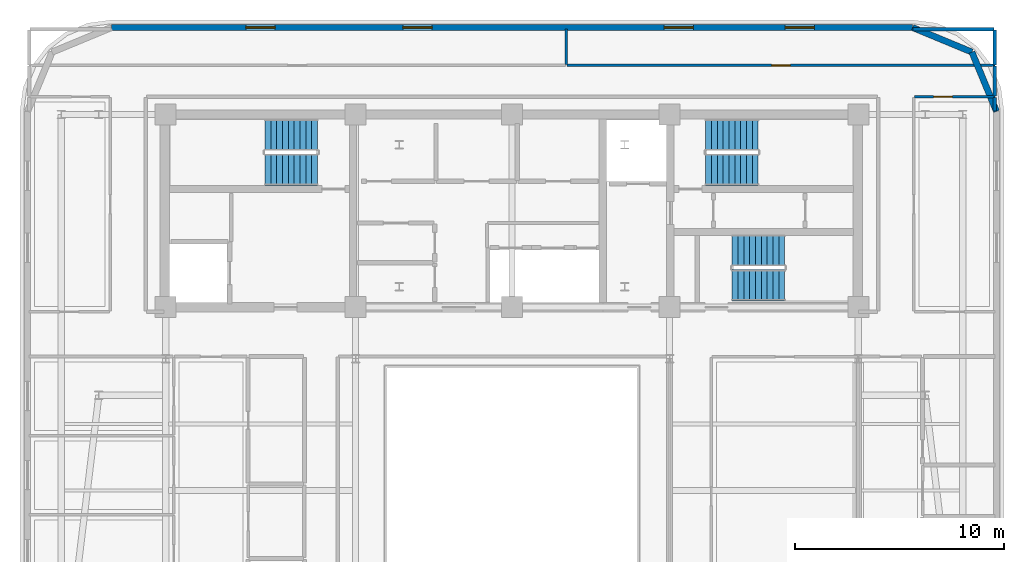
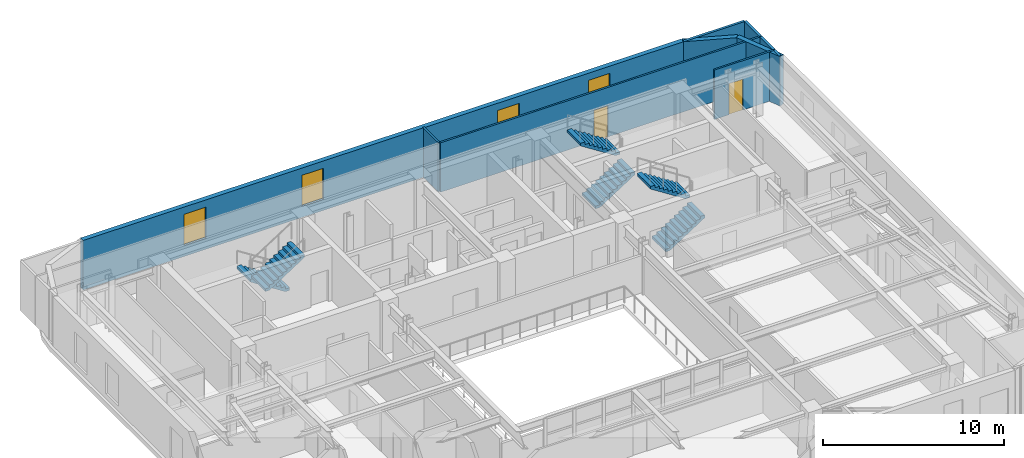
# One storey, part 10 of 14: 10 walls, 6 stair flights, 4 windows, 2 doors, 6 openings, 3 elements without a shape of their own.
"""IFC4 building model written with IfcOpenShell, lengths in metres."""

from ifc_helpers import new_model, si_unit, direction, frame, frame_2d, origin, place, context, subcontext, project, spatial, polyline, rectangle, outline, extrude, material, layer, layer_set, type_object, element, fill, aggregate, save


model = new_model("IFC4")

# Units and contexts
model_context = context("Model", 3, precision=1e-05, world=origin(), true_north=direction((0.0, 1.0)))
body_context = subcontext(model_context, "Body", "Model", "MODEL_VIEW")
ifc_project = project(units=[si_unit("LENGTHUNIT", "METRE"), si_unit("AREAUNIT", "SQUARE_METRE"), si_unit("VOLUMEUNIT", "CUBIC_METRE"), si_unit("PLANEANGLEUNIT", "RADIAN"), si_unit("MASSUNIT", "GRAM", prefix="KILO")], contexts=[model_context])

# Site, building, storey
site_placement = place(None, origin())
site = spatial("IfcSite", under=ifc_project, at=site_placement, CompositionType="ELEMENT")
building_placement = place(site_placement, origin())
building = spatial("IfcBuilding", under=site, at=building_placement, Name="Zarnavel Station Tower", CompositionType="ELEMENT")
storey_placement = place(building_placement, frame((0.0, 0.0, 211.199951171875)))
storey = spatial("IfcBuildingStorey", under=building, at=storey_placement, Name="L57", CompositionType="ELEMENT", Elevation=211.199951171875)

# Walls
ifc_material_1 = material(Name="Precast concrete C45/55 (Dark Basalt Finish)", Category="masonry")
ifc_layer_1 = layer(ifc_material_1, 0.300048828125)
ifc_layer_set_1 = layer_set([ifc_layer_1], Name="EW_BASALT_300")
wall_type_1 = type_object("IfcWallType", Name="EW_BASALT_300", PredefinedType="SOLIDWALL", material=ifc_layer_set_1)
for number, where, z_axis, x_axis, name in (
    (1, (50.842529296875, 40.04248046875, 0.0), (0.0, 0.0, 1.0), (0.382704529509, -0.923870793506, 0.0), "L57 Exterior Basalt Masonry Frame Wall 04"),
    (2, (48.0, 41.219970703125, 0.0), (0.0, 0.0, 1.0), (0.923870793506, -0.382704529509, 0.0), "L57 Exterior Basalt Masonry Frame Wall 05"),
):
    element("IfcWall", number, at=place(storey_placement, frame(where, z_axis=z_axis, x_axis=x_axis)), inside=storey, type_object=wall_type_1, Name=name, PredefinedType="SOLIDWALL", context=body_context, shape_type="SweptSolid", body=[
        extrude(rectangle(XDim=3.07666015625, YDim=0.300048828125, at=frame_2d((1.538330078125, 0.0))), origin(), (0.0, 0.0, 1.0), 3.340087890625),
    ])

# Wall, openings, windows
wall_1_placement = place(storey_placement, frame((9.60009765625, 41.219970703125, 0.0), z_axis=(0.0, 0.0, 1.0), x_axis=(1.0, 0.0, 0.0)))
wall_1 = element("IfcWall", 3, at=wall_1_placement, inside=storey, type_object=wall_type_1, Name="L57 Exterior Basalt Masonry Frame Wall 06", PredefinedType="SOLIDWALL", context=body_context, shape_type="SweptSolid", body=[
    extrude(rectangle(XDim=38.39990234375, YDim=0.300048828125, at=frame_2d((19.199951171875, 0.0))), origin(), (0.0, 0.0, 1.0), 3.340087890625),
])
opening_1_placement = place(wall_1_placement, frame((6.44677734375, 0.0, 0.75)))
opening_1 = element("IfcOpeningElement", 4, at=opening_1_placement, cuts=wall_1, Name="Opening WN04", PredefinedType="OPENING", context=body_context, shape_type="SweptSolid", body=[
    extrude(rectangle(XDim=1.39990234375, YDim=2.10009765625, at=frame_2d((0.699951171875, 1.050048828125))), frame((0.0, 0.159912109375, 0.0), z_axis=(0.0, -1.0, 0.0), x_axis=(1.0, 0.0, 0.0)), (0.0, 0.0, 1.0), 0.320068359375),
])
opening_2_placement = place(wall_1_placement, frame((13.973388671875, 0.0, 0.75)))
opening_2 = element("IfcOpeningElement", 5, at=opening_2_placement, cuts=wall_1, Name="Opening WN04", PredefinedType="OPENING", context=body_context, shape_type="SweptSolid", body=[
    extrude(rectangle(XDim=1.39990234375, YDim=2.10009765625, at=frame_2d((0.699951171875, 1.050048828125))), frame((0.0, 0.159912109375, 0.0), z_axis=(0.0, -1.0, 0.0), x_axis=(1.0, 0.0, 0.0)), (0.0, 0.0, 1.0), 0.320068359375),
])
opening_3_placement = place(wall_1_placement, frame((26.493408203125, 0.0, 0.75)))
opening_3 = element("IfcOpeningElement", 6, at=opening_3_placement, cuts=wall_1, Name="Opening WN04", PredefinedType="OPENING", context=body_context, shape_type="SweptSolid", body=[
    extrude(rectangle(XDim=1.39990234375, YDim=2.10009765625, at=frame_2d((0.699951171875, 1.050048828125))), frame((0.0, 0.159912109375, 0.0), z_axis=(0.0, -1.0, 0.0), x_axis=(1.0, 0.0, 0.0)), (0.0, 0.0, 1.0), 0.320068359375),
])
opening_4_placement = place(wall_1_placement, frame((32.28662109375, 0.0, 0.75)))
opening_4 = element("IfcOpeningElement", 7, at=opening_4_placement, cuts=wall_1, Name="Opening WN04", PredefinedType="OPENING", context=body_context, shape_type="SweptSolid", body=[
    extrude(rectangle(XDim=1.39990234375, YDim=2.10009765625, at=frame_2d((0.699951171875, 1.050048828125))), frame((0.0, 0.159912109375, 0.0), z_axis=(0.0, -1.0, 0.0), x_axis=(1.0, 0.0, 0.0)), (0.0, 0.0, 1.0), 0.320068359375),
])
ifc_material_2 = material(Name="Thermally Broken Black Aluminium and Low-E Dark Glass", Category="aluminium")
window_type = type_object("IfcWindowType", Name="WN_1400x2100", PartitioningType="DOUBLE_PANEL_VERTICAL", PredefinedType="WINDOW", material=ifc_material_2)
window_1_placement = place(opening_1_placement, origin())
window_1 = element("IfcWindow", 8, at=window_1_placement, inside=storey, type_object=window_type, Name="L57 Recessed Facade Window 01", OverallHeight=2.10009765625, OverallWidth=1.39990234375, PartitioningType="SINGLE_PANEL", PredefinedType="WINDOW", context=body_context, shape_type="SweptSolid", body=[
    extrude(rectangle(XDim=1.39990234375, YDim=2.10009765625, at=frame_2d((0.699951171875, 1.050048828125))), frame((0.0, 0.030029296875, 0.0), z_axis=(0.0, -1.0, 0.0), x_axis=(1.0, 0.0, 0.0)), (0.0, 0.0, 1.0), 0.06005859375),
])
fill(opening_1, window_1)
window_2_placement = place(opening_2_placement, origin())
window_2 = element("IfcWindow", 9, at=window_2_placement, inside=storey, type_object=window_type, Name="L57 Recessed Facade Window 02", OverallHeight=2.10009765625, OverallWidth=1.39990234375, PartitioningType="SINGLE_PANEL", PredefinedType="WINDOW", context=body_context, shape_type="SweptSolid", body=[
    extrude(rectangle(XDim=1.39990234375, YDim=2.10009765625, at=frame_2d((0.699951171875, 1.050048828125))), frame((0.0, 0.030029296875, 0.0), z_axis=(0.0, -1.0, 0.0), x_axis=(1.0, 0.0, 0.0)), (0.0, 0.0, 1.0), 0.06005859375),
])
fill(opening_2, window_2)
window_3_placement = place(opening_3_placement, origin())
window_3 = element("IfcWindow", 10, at=window_3_placement, inside=storey, type_object=window_type, Name="L57 Recessed Facade Window 03", OverallHeight=2.10009765625, OverallWidth=1.39990234375, PartitioningType="SINGLE_PANEL", PredefinedType="WINDOW", context=body_context, shape_type="SweptSolid", body=[
    extrude(rectangle(XDim=1.39990234375, YDim=2.10009765625, at=frame_2d((0.699951171875, 1.050048828125))), frame((0.0, 0.030029296875, 0.0), z_axis=(0.0, -1.0, 0.0), x_axis=(1.0, 0.0, 0.0)), (0.0, 0.0, 1.0), 0.06005859375),
])
fill(opening_3, window_3)
window_4_placement = place(opening_4_placement, origin())
window_4 = element("IfcWindow", 11, at=window_4_placement, inside=storey, type_object=window_type, Name="L57 Recessed Facade Window 04", OverallHeight=2.10009765625, OverallWidth=1.39990234375, PartitioningType="SINGLE_PANEL", PredefinedType="WINDOW", context=body_context, shape_type="SweptSolid", body=[
    extrude(rectangle(XDim=1.39990234375, YDim=2.10009765625, at=frame_2d((0.699951171875, 1.050048828125))), frame((0.0, 0.030029296875, 0.0), z_axis=(0.0, -1.0, 0.0), x_axis=(1.0, 0.0, 0.0)), (0.0, 0.0, 1.0), 0.06005859375),
])
fill(opening_4, window_4)

# Walls
ifc_material_3 = material(Name="Gypsum Twin-Stud Acoustic Fire Partition", Category="concrete")
ifc_layer_2 = layer(ifc_material_3, 0.159912109375)
ifc_layer_set_2 = layer_set([ifc_layer_2], Name="PT_DEMISE_160")
wall_type_2 = type_object("IfcWallType", Name="PT_DEMISE_160", PredefinedType="PARTITIONING", material=ifc_layer_set_2)
wall_2_placement = place(storey_placement, frame((51.93994140625, 37.929931640625, 0.0), z_axis=(0.0, 0.0, 1.0), x_axis=(0.0, 1.0, 0.0)))
element("IfcWall", 12, at=wall_2_placement, inside=storey, type_object=wall_type_2, Name="L57 Enclosure Wall COR-N", PredefinedType="PARTITIONING", context=body_context, shape_type="SweptSolid", body=[
    extrude(rectangle(XDim=1.440185546875, YDim=0.159912109375, at=frame_2d((0.72021484375, 0.0))), origin(), (0.0, 0.0, 1.0), 3.340087890625),
])
wall_3_placement = place(storey_placement, frame((51.93994140625, 37.22998046875, 0.0), z_axis=(0.0, 0.0, 1.0), x_axis=(0.0, 1.0, 0.0)))
element("IfcWall", 13, at=wall_3_placement, inside=storey, type_object=wall_type_2, Name="L57 Enclosure Wall FNE", PredefinedType="PARTITIONING", context=body_context, shape_type="SweptSolid", body=[
    extrude(rectangle(XDim=0.64013671875, YDim=0.159912109375, at=frame_2d((0.320068359375, 0.0))), origin(), (0.0, 0.0, 1.0), 3.340087890625),
])
wall_4_placement = place(storey_placement, frame((48.030029296875, 41.139892578125, 0.0), z_axis=(0.0, 0.0, 1.0), x_axis=(1.0, 0.0, 0.0)))
element("IfcWall", 14, at=wall_4_placement, inside=storey, type_object=wall_type_2, Name="L57 Enclosure Wall NBRD", PredefinedType="PARTITIONING", context=body_context, shape_type="SweptSolid", body=[
    extrude(rectangle(XDim=3.8798828125, YDim=0.159912109375, at=frame_2d((1.93994140625, 0.0))), origin(), (0.0, 0.0, 1.0), 3.340087890625),
])
wall_5_placement = place(storey_placement, frame((51.93994140625, 39.429931640625, 0.0), z_axis=(0.0, 0.0, 1.0), x_axis=(0.0, 1.0, 0.0)))
element("IfcWall", 15, at=wall_5_placement, inside=storey, type_object=wall_type_2, Name="L57 Enclosure Wall NBRD", PredefinedType="PARTITIONING", context=body_context, shape_type="SweptSolid", body=[
    extrude(rectangle(XDim=1.68017578125, YDim=0.159912109375, at=frame_2d((0.840087890625, 0.0))), origin(), (0.0, 0.0, 1.0), 3.340087890625),
])

# Wall, opening, door
ifc_material_4 = material(Name="Gypsum Metal-Stud Interior Partition", Category="concrete")
ifc_layer_3 = layer(ifc_material_4, 0.1201171875)
ifc_layer_set_3 = layer_set([ifc_layer_3], Name="PT_ROOM_120")
wall_type_3 = type_object("IfcWallType", Name="PT_ROOM_120", PredefinedType="PARTITIONING", material=ifc_layer_set_3)
wall_6_placement = place(storey_placement, frame((48.090087890625, 37.89990234375, 0.0), z_axis=(0.0, 0.0, 1.0), x_axis=(1.0, 0.0, 0.0)))
wall_6 = element("IfcWall", 16, at=wall_6_placement, inside=storey, type_object=wall_type_3, Name="L57 Partition COR-N-FNE", PredefinedType="PARTITIONING", context=body_context, shape_type="SweptSolid", body=[
    extrude(rectangle(XDim=3.849853515625, YDim=0.1201171875, at=frame_2d((1.9248046875, 0.0))), origin(), (0.0, 0.0, 1.0), 3.340087890625),
])
opening_5_placement = place(wall_6_placement, frame((0.918701171875, 0.0, 0.0)))
opening_5 = element("IfcOpeningElement", 17, at=opening_5_placement, cuts=wall_6, Name="Opening ID01", PredefinedType="OPENING", context=body_context, shape_type="SweptSolid", body=[
    extrude(rectangle(XDim=0.89990234375, YDim=2.10009765625, at=frame_2d((0.449951171875, 1.050048828125))), frame((0.0, 0.070068359375, 0.0), z_axis=(0.0, -1.0, 0.0), x_axis=(1.0, 0.0, 0.0)), (0.0, 0.0, 1.0), 0.14013671875),
])
ifc_material_5 = material(Name="Painted Galvanised Steel and Hardwood Leaf", Category="steel")
door_type = type_object("IfcDoorType", Name="ID_ROOM_900", OperationType="NOTDEFINED", PredefinedType="DOOR", material=ifc_material_5)
door_1_placement = place(opening_5_placement, origin())
door_1 = element("IfcDoor", 18, at=door_1_placement, inside=storey, type_object=door_type, Name="L57 Door COR-N-FNE", OperationType="SINGLE_SWING_LEFT", OverallHeight=2.10009765625, OverallWidth=0.89990234375, PredefinedType="DOOR", context=body_context, shape_type="SweptSolid", body=[
    extrude(rectangle(XDim=0.89990234375, YDim=2.10009765625, at=frame_2d((0.449951171875, 1.050048828125))), frame((0.0, 0.02490234375, 0.0), z_axis=(0.0, -1.0, 0.0), x_axis=(1.0, 0.0, 0.0)), (0.0, 0.0, 1.0), 0.050048828125),
])
fill(opening_5, door_1)

wall_7_placement = place(storey_placement, frame((31.43994140625, 39.39990234375, 0.0), z_axis=(0.0, 0.0, 1.0), x_axis=(1.0, 0.0, 0.0)))
wall_7 = element("IfcWall", 19, at=wall_7_placement, inside=storey, type_object=wall_type_3, Name="L57 Partition COR-N-NBRD", PredefinedType="PARTITIONING", context=body_context, shape_type="SweptSolid", body=[
    extrude(rectangle(XDim=20.5, YDim=0.1201171875, at=frame_2d((10.25, 0.0))), origin(), (0.0, 0.0, 1.0), 3.340087890625),
])
opening_6_placement = place(wall_7_placement, frame((9.800048828125, 0.0, 0.0)))
opening_6 = element("IfcOpeningElement", 20, at=opening_6_placement, cuts=wall_7, Name="Opening ID01", PredefinedType="OPENING", context=body_context, shape_type="SweptSolid", body=[
    extrude(rectangle(XDim=0.89990234375, YDim=2.10009765625, at=frame_2d((0.449951171875, 1.050048828125))), frame((0.0, 0.070068359375, 0.0), z_axis=(0.0, -1.0, 0.0), x_axis=(1.0, 0.0, 0.0)), (0.0, 0.0, 1.0), 0.14013671875),
])
door_2_placement = place(opening_6_placement, origin())
door_2 = element("IfcDoor", 21, at=door_2_placement, inside=storey, type_object=door_type, Name="L57 Door COR-N-NBRD", OperationType="SINGLE_SWING_LEFT", OverallHeight=2.10009765625, OverallWidth=0.89990234375, PredefinedType="DOOR", context=body_context, shape_type="SweptSolid", body=[
    extrude(rectangle(XDim=0.89990234375, YDim=2.10009765625, at=frame_2d((0.449951171875, 1.050048828125))), frame((0.0, 0.02490234375, 0.0), z_axis=(0.0, -1.0, 0.0), x_axis=(1.0, 0.0, 0.0)), (0.0, 0.0, 1.0), 0.050048828125),
])
fill(opening_6, door_2)

# Wall
wall_8_placement = place(storey_placement, frame((31.39990234375, 39.43994140625, 0.0), z_axis=(0.0, 0.0, 1.0), x_axis=(0.0, 1.0, 0.0)))
element("IfcWall", 22, at=wall_8_placement, inside=storey, type_object=wall_type_3, Name="L57 Partition NGYM-NBRD", PredefinedType="PARTITIONING", context=body_context, shape_type="SweptSolid", body=[
    extrude(rectangle(XDim=1.699951171875, YDim=0.1201171875, at=frame_2d((0.85009765625, 0.0))), origin(), (0.0, 0.0, 1.0), 3.340087890625),
])

# Stair, stair flights
ifc_material_6 = material(Name="Concrete C45/55", Category="concrete")
stair_type = type_object("IfcStairType", Name="ST_CORE_150", PredefinedType="HALF_TURN_STAIR", material=ifc_material_6)
stair_1_placement = place(storey_placement, origin())
stair_1 = element("IfcStair", 23, at=stair_1_placement, inside=storey, type_object=stair_type, Name="L57 Core Exit Stair ST1", PredefinedType="HALF_TURN_STAIR")
ifc_material_7 = material(Name="Concrete C45/55", Category="concrete")
ifc_layer_4 = layer(ifc_material_7, 0.179931640625)
ifc_layer_set_4 = layer_set([ifc_layer_4], Name="ST_CORE_150_FLT")
stair_flight_type = type_object("IfcStairFlightType", Name="ST_CORE_150_FLT", PredefinedType="STRAIGHT", material=ifc_layer_set_4)
stair_flight_1_placement = place(storey_placement, frame((19.47998046875, 36.070068359375, 0.0), z_axis=(0.0, 0.0, 1.0), x_axis=(-1.0, 0.0, 0.0)))
stair_flight_1 = element("IfcStairFlight", 24, at=stair_flight_1_placement, type_object=stair_flight_type, Name="ST1 flight 1", NumberOfRisers=10, NumberOfTreads=9, PredefinedType="STRAIGHT", RiserHeight=0.18, TreadLength=0.28, context=body_context, shape_type="SweptSolid", body=[
    extrude(outline(polyline([(0.0, 0.0), (0.0, 0.179931640625), (0.280029296875, 0.179931640625), (0.280029296875, 0.360107421875), (0.56005859375, 0.360107421875), (0.56005859375, 0.5400390625), (0.840087890625, 0.5400390625), (0.840087890625, 0.719970703125), (1.1201171875, 0.719970703125), (1.1201171875, 0.89990234375), (1.39990234375, 0.89990234375), (1.39990234375, 1.080078125), (1.679931640625, 1.080078125), (1.679931640625, 1.260009765625), (1.9599609375, 1.260009765625), (1.9599609375, 1.43994140625), (2.239990234375, 1.43994140625), (2.239990234375, 1.6201171875), (2.52001953125, 1.6201171875), (2.52001953125, 1.800048828125), (2.52001953125, 1.44189453125), (0.277099609375, 0.0), (0.0, 0.0)])), frame((0.0, 0.75, 0.0), z_axis=(0.0, -1.0, 0.0), x_axis=(1.0, 0.0, 0.0)), (0.0, 0.0, 1.0), 1.5),
])
stair_flight_2_placement = place(storey_placement, frame((16.9599609375, 34.409912109375, 1.800048828125), z_axis=(0.0, 0.0, 1.0), x_axis=(1.0, 0.0, 0.0)))
stair_flight_2 = element("IfcStairFlight", 25, at=stair_flight_2_placement, type_object=stair_flight_type, Name="ST1 flight 2", NumberOfRisers=10, NumberOfTreads=9, PredefinedType="STRAIGHT", RiserHeight=0.18, TreadLength=0.28, context=body_context, shape_type="SweptSolid", body=[
    extrude(outline(polyline([(0.0, 0.0), (0.0, 0.179931640625), (0.280029296875, 0.179931640625), (0.280029296875, 0.360107421875), (0.56005859375, 0.360107421875), (0.56005859375, 0.5400390625), (0.840087890625, 0.5400390625), (0.840087890625, 0.719970703125), (1.1201171875, 0.719970703125), (1.1201171875, 0.89990234375), (1.39990234375, 0.89990234375), (1.39990234375, 1.080078125), (1.679931640625, 1.080078125), (1.679931640625, 1.260009765625), (1.9599609375, 1.260009765625), (1.9599609375, 1.43994140625), (2.239990234375, 1.43994140625), (2.239990234375, 1.6201171875), (2.52001953125, 1.6201171875), (2.52001953125, 1.800048828125), (2.52001953125, 1.44189453125), (0.277099609375, 0.0), (0.0, 0.0)])), frame((0.0, 0.75, 0.0), z_axis=(0.0, -1.0, 0.0), x_axis=(1.0, 0.0, 0.0)), (0.0, 0.0, 1.0), 1.5),
])
aggregate(stair_1, [stair_flight_1, stair_flight_2])

stair_2_placement = place(storey_placement, origin())
stair_2 = element("IfcStair", 26, at=stair_2_placement, inside=storey, type_object=stair_type, Name="L57 Core Exit Stair ST2", PredefinedType="HALF_TURN_STAIR")
stair_flight_3_placement = place(storey_placement, frame((38.080078125, 34.409912109375, 0.0), z_axis=(0.0, 0.0, 1.0), x_axis=(1.0, 0.0, 0.0)))
stair_flight_3 = element("IfcStairFlight", 27, at=stair_flight_3_placement, type_object=stair_flight_type, Name="ST2 flight 1", NumberOfRisers=10, NumberOfTreads=9, PredefinedType="STRAIGHT", RiserHeight=0.18, TreadLength=0.28, context=body_context, shape_type="SweptSolid", body=[
    extrude(outline(polyline([(0.0, 0.0), (0.0, 0.179931640625), (0.280029296875, 0.179931640625), (0.280029296875, 0.360107421875), (0.56005859375, 0.360107421875), (0.56005859375, 0.5400390625), (0.840087890625, 0.5400390625), (0.840087890625, 0.719970703125), (1.1201171875, 0.719970703125), (1.1201171875, 0.89990234375), (1.39990234375, 0.89990234375), (1.39990234375, 1.080078125), (1.679931640625, 1.080078125), (1.679931640625, 1.260009765625), (1.9599609375, 1.260009765625), (1.9599609375, 1.43994140625), (2.239990234375, 1.43994140625), (2.239990234375, 1.6201171875), (2.52001953125, 1.6201171875), (2.52001953125, 1.800048828125), (2.52001953125, 1.44189453125), (0.277099609375, 0.0), (0.0, 0.0)])), frame((0.0, 0.75, 0.0), z_axis=(0.0, -1.0, 0.0), x_axis=(1.0, 0.0, 0.0)), (0.0, 0.0, 1.0), 1.5),
])
stair_flight_4_placement = place(storey_placement, frame((40.60009765625, 36.070068359375, 1.800048828125), z_axis=(0.0, 0.0, 1.0), x_axis=(-1.0, 0.0, 0.0)))
stair_flight_4 = element("IfcStairFlight", 28, at=stair_flight_4_placement, type_object=stair_flight_type, Name="ST2 flight 2", NumberOfRisers=10, NumberOfTreads=9, PredefinedType="STRAIGHT", RiserHeight=0.18, TreadLength=0.28, context=body_context, shape_type="SweptSolid", body=[
    extrude(outline(polyline([(0.0, 0.0), (0.0, 0.179931640625), (0.280029296875, 0.179931640625), (0.280029296875, 0.360107421875), (0.56005859375, 0.360107421875), (0.56005859375, 0.5400390625), (0.840087890625, 0.5400390625), (0.840087890625, 0.719970703125), (1.1201171875, 0.719970703125), (1.1201171875, 0.89990234375), (1.39990234375, 0.89990234375), (1.39990234375, 1.080078125), (1.679931640625, 1.080078125), (1.679931640625, 1.260009765625), (1.9599609375, 1.260009765625), (1.9599609375, 1.43994140625), (2.239990234375, 1.43994140625), (2.239990234375, 1.6201171875), (2.52001953125, 1.6201171875), (2.52001953125, 1.800048828125), (2.52001953125, 1.44189453125), (0.277099609375, 0.0), (0.0, 0.0)])), frame((0.0, 0.75, 0.0), z_axis=(0.0, -1.0, 0.0), x_axis=(1.0, 0.0, 0.0)), (0.0, 0.0, 1.0), 1.5),
])
aggregate(stair_2, [stair_flight_3, stair_flight_4])

stair_3_placement = place(storey_placement, origin())
stair_3 = element("IfcStair", 29, at=stair_3_placement, inside=storey, type_object=stair_type, Name="L57 Core Exit Stair ST3", PredefinedType="HALF_TURN_STAIR")
stair_flight_5_placement = place(storey_placement, frame((39.35009765625, 28.8701171875, 0.0), z_axis=(0.0, 0.0, 1.0), x_axis=(1.0, 0.0, 0.0)))
stair_flight_5 = element("IfcStairFlight", 30, at=stair_flight_5_placement, type_object=stair_flight_type, Name="ST3 flight 1", NumberOfRisers=10, NumberOfTreads=9, PredefinedType="STRAIGHT", RiserHeight=0.18, TreadLength=0.28, context=body_context, shape_type="SweptSolid", body=[
    extrude(outline(polyline([(0.0, 0.0), (0.0, 0.179931640625), (0.280029296875, 0.179931640625), (0.280029296875, 0.360107421875), (0.56005859375, 0.360107421875), (0.56005859375, 0.5400390625), (0.840087890625, 0.5400390625), (0.840087890625, 0.719970703125), (1.1201171875, 0.719970703125), (1.1201171875, 0.89990234375), (1.39990234375, 0.89990234375), (1.39990234375, 1.080078125), (1.679931640625, 1.080078125), (1.679931640625, 1.260009765625), (1.9599609375, 1.260009765625), (1.9599609375, 1.43994140625), (2.239990234375, 1.43994140625), (2.239990234375, 1.6201171875), (2.52001953125, 1.6201171875), (2.52001953125, 1.800048828125), (2.52001953125, 1.44189453125), (0.277099609375, 0.0), (0.0, 0.0)])), frame((0.0, 0.75, 0.0), z_axis=(0.0, -1.0, 0.0), x_axis=(1.0, 0.0, 0.0)), (0.0, 0.0, 1.0), 1.5),
])
stair_flight_6_placement = place(storey_placement, frame((41.8701171875, 30.530029296875, 1.800048828125), z_axis=(0.0, 0.0, 1.0), x_axis=(-1.0, 0.0, 0.0)))
stair_flight_6 = element("IfcStairFlight", 31, at=stair_flight_6_placement, type_object=stair_flight_type, Name="ST3 flight 2", NumberOfRisers=10, NumberOfTreads=9, PredefinedType="STRAIGHT", RiserHeight=0.18, TreadLength=0.28, context=body_context, shape_type="SweptSolid", body=[
    extrude(outline(polyline([(0.0, 0.0), (0.0, 0.179931640625), (0.280029296875, 0.179931640625), (0.280029296875, 0.360107421875), (0.56005859375, 0.360107421875), (0.56005859375, 0.5400390625), (0.840087890625, 0.5400390625), (0.840087890625, 0.719970703125), (1.1201171875, 0.719970703125), (1.1201171875, 0.89990234375), (1.39990234375, 0.89990234375), (1.39990234375, 1.080078125), (1.679931640625, 1.080078125), (1.679931640625, 1.260009765625), (1.9599609375, 1.260009765625), (1.9599609375, 1.43994140625), (2.239990234375, 1.43994140625), (2.239990234375, 1.6201171875), (2.52001953125, 1.6201171875), (2.52001953125, 1.800048828125), (2.52001953125, 1.44189453125), (0.277099609375, 0.0), (0.0, 0.0)])), frame((0.0, 0.75, 0.0), z_axis=(0.0, -1.0, 0.0), x_axis=(1.0, 0.0, 0.0)), (0.0, 0.0, 1.0), 1.5),
])
aggregate(stair_3, [stair_flight_5, stair_flight_6])

save(model, "model.ifc")
